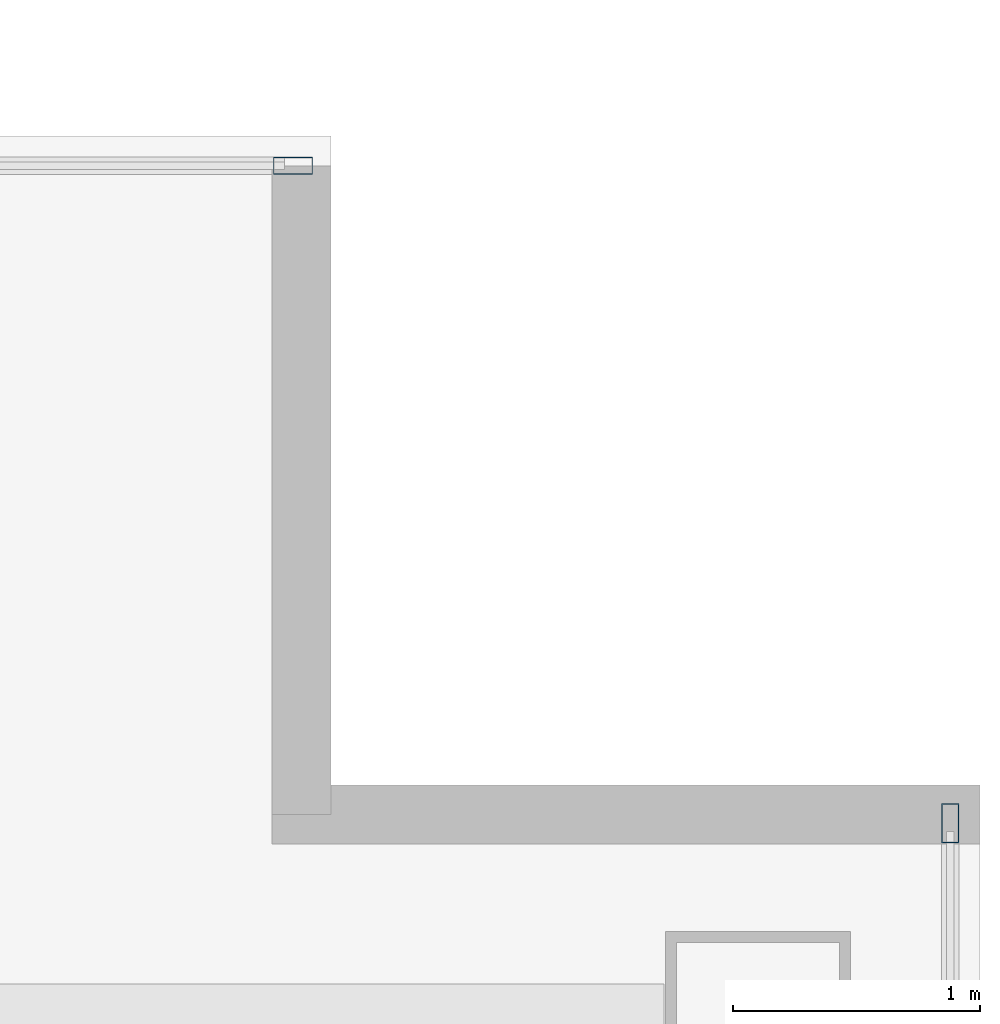
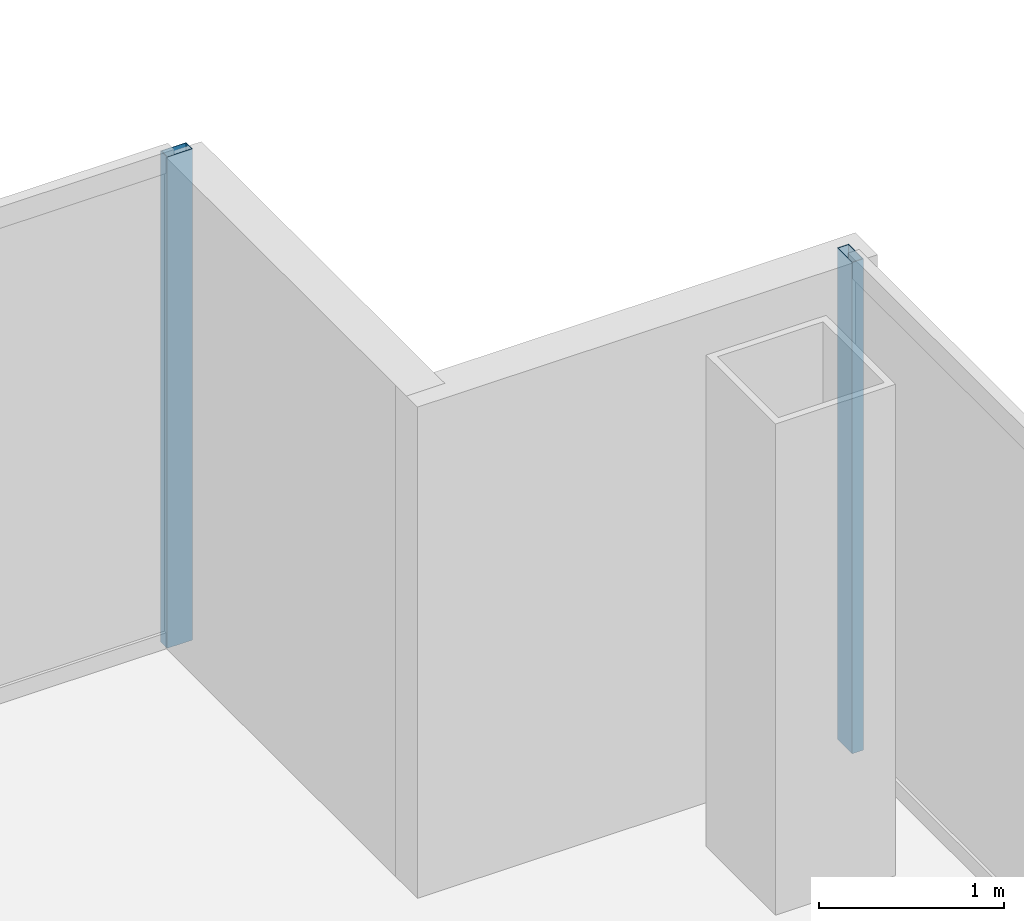
# One storey, part 16 of 23: 2 members, 2 elements without a shape of their own.
"""IFC4 building model written with IfcOpenShell, lengths in metres."""

from ifc_helpers import new_model, si_unit, direction, frame, origin, origin_2d, place, context, subcontext, project, spatial, hollow_rectangle, extrude, material, material_profile, profile_set, type_object, element, aggregate, save


model = new_model("IFC4")

# Units and contexts
model_context = context("Model", 3, precision=1e-05, world=origin(), true_north=direction((0.0, 1.0)))
body_context = subcontext(model_context, "Body", "Model", "MODEL_VIEW")
ifc_project = project(units=[si_unit("LENGTHUNIT", "METRE"), si_unit("AREAUNIT", "SQUARE_METRE"), si_unit("VOLUMEUNIT", "CUBIC_METRE"), si_unit("PLANEANGLEUNIT", "RADIAN"), si_unit("MASSUNIT", "GRAM", prefix="KILO")], contexts=[model_context])

# Site, building, storey
site_placement = place(None, origin())
site = spatial("IfcSite", under=ifc_project, at=site_placement, CompositionType="ELEMENT")
building_placement = place(site_placement, origin())
building = spatial("IfcBuilding", under=site, at=building_placement, Name="Cobrela Telecom Tower", CompositionType="ELEMENT")
storey_placement = place(building_placement, frame((0.0, 0.0, 208.25)))
storey = spatial("IfcBuildingStorey", under=building, at=storey_placement, Name="L53", CompositionType="ELEMENT", Elevation=208.25)

# Curtain wall, member
ifc_material = material(Name="Anodized Bronze Aluminium 6063-T6", Category="aluminium")
curtain_wall_type = type_object("IfcCurtainWallType", Name="CW-SYS-OFF-LO", PredefinedType="USERDEFINED", material=ifc_material)
curtain_wall_1_placement = place(storey_placement, origin())
curtain_wall_1 = element("IfcCurtainWall", 1, at=curtain_wall_1_placement, inside=storey, type_object=curtain_wall_type, Name="L53 Unitised Bronze Curtain Wall 11", ObjectType="UNITISED CURTAIN WALL", PredefinedType="USERDEFINED")
ifc_material_profile = material_profile(ifc_material, hollow_rectangle(XDim=0.070068359375, YDim=0.159912109375, WallThickness=0.00390625, at=origin_2d()), Name="ALU 70x160x4")
ifc_profile_set = profile_set([ifc_material_profile], Name="Anodized Bronze Aluminium 6063-T6")
member_type = type_object("IfcMemberType", Name="CW-SYS-OFF-LO-MUL", PredefinedType="MULLION", material=ifc_profile_set)
member_1_placement = place(storey_placement, frame((41.215087890625, 25.080078125, 0.0), z_axis=(0.0, 0.0, 1.0), x_axis=(0.0, 1.0, 0.0)))
member_1 = element("IfcMember", 2, at=member_1_placement, type_object=member_type, Name="CW-OFF-LO mullion 3", PredefinedType="MULLION", context=body_context, shape_type="SweptSolid", body=[
    extrude(hollow_rectangle(XDim=0.070068359375, YDim=0.159912109375, WallThickness=0.00390625, at=origin_2d()), origin(), (0.0, 0.0, 1.0), 3.239990234375),
])
aggregate(curtain_wall_1, [member_1])

curtain_wall_2_placement = place(storey_placement, origin())
curtain_wall_2 = element("IfcCurtainWall", 3, at=curtain_wall_2_placement, inside=storey, type_object=curtain_wall_type, Name="L53 Unitised Bronze Curtain Wall 14", ObjectType="UNITISED CURTAIN WALL", PredefinedType="USERDEFINED")
member_2_placement = place(storey_placement, frame((43.8798828125, 22.4150390625, 0.0), z_axis=(0.0, 0.0, 1.0), x_axis=(1.0, 0.0, 0.0)))
member_2 = element("IfcMember", 4, at=member_2_placement, type_object=member_type, Name="CW-OFF-LO mullion 1", PredefinedType="MULLION", context=body_context, shape_type="SweptSolid", body=[
    extrude(hollow_rectangle(XDim=0.070068359375, YDim=0.159912109375, WallThickness=0.00390625, at=origin_2d()), origin(), (0.0, 0.0, 1.0), 3.239990234375),
])
aggregate(curtain_wall_2, [member_2])

save(model, "model.ifc")
